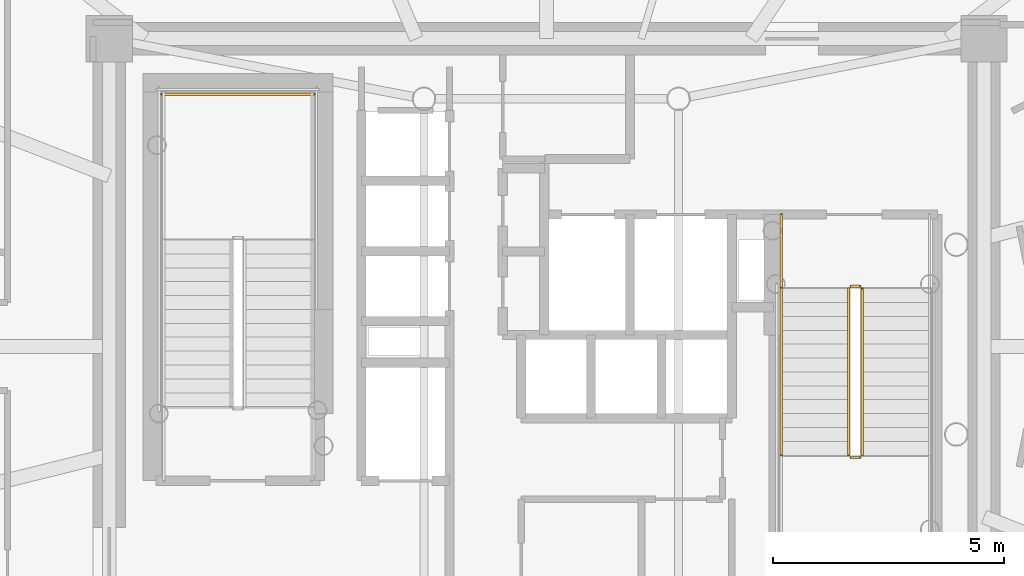
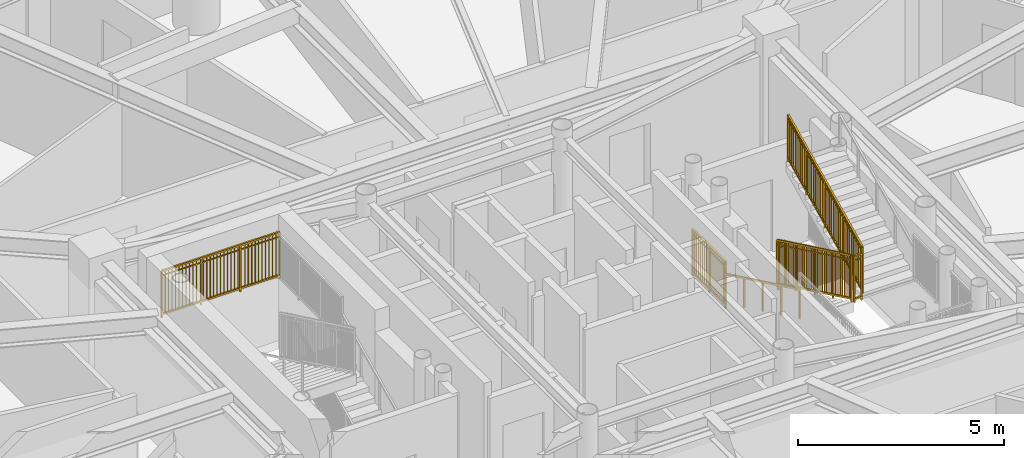
# One storey, part 19 of 21: 7 railings.
"""IFC4 building model written with IfcOpenShell, lengths in metres."""

from ifc_helpers import new_model, si_unit, direction, frame, origin, origin_2d, place, context, subcontext, project, spatial, rectangle, extrude, source, transform, mapped, material, type_object, element, save


model = new_model("IFC4")

# Units and contexts
model_context = context("Model", 3, precision=1e-05, world=origin(), true_north=direction((0.0, 1.0)))
body_context = subcontext(model_context, "Body", "Model", "MODEL_VIEW")
ifc_project = project(units=[si_unit("LENGTHUNIT", "METRE"), si_unit("AREAUNIT", "SQUARE_METRE"), si_unit("VOLUMEUNIT", "CUBIC_METRE"), si_unit("PLANEANGLEUNIT", "RADIAN"), si_unit("MASSUNIT", "GRAM", prefix="KILO")], contexts=[model_context])

# Site, building, storey
site_placement = place(None, origin())
site = spatial("IfcSite", under=ifc_project, at=site_placement, CompositionType="ELEMENT")
building_placement = place(site_placement, origin())
building = spatial("IfcBuilding", under=site, at=building_placement, Name="Linh Dai School and Residence Tower", CompositionType="ELEMENT")
storey_placement = place(building_placement, frame((0.0, 0.0, 229.050048828125)))
storey = spatial("IfcBuildingStorey", under=building, at=storey_placement, Name="L56", CompositionType="ELEMENT", Elevation=229.050048828125)

# Railings
ifc_material_1 = material(Name="Structural Steel S355JR", Category="steel")
railing_type_1 = type_object("IfcRailingType", Name="RL-ST-GUARD-1400", PredefinedType="GUARDRAIL", material=ifc_material_1)
shared_shape_1 = source(origin(), body_context, "Body", "SweptSolid", [
    extrude(rectangle(XDim=0.048095703125, YDim=0.048095703125, at=origin_2d()), frame((0.0, 0.0, 1.3759765625), z_axis=(-1.0, 0.0, 0.0), x_axis=(0.0, -1.0, 0.0)), (0.0, 0.0, 1.0), 3.300048828125),
    extrude(rectangle(XDim=0.048095703125, YDim=0.048095703125, at=origin_2d()), frame((0.0, 0.0, 0.10009765625), z_axis=(-1.0, 0.0, 0.0), x_axis=(0.0, -1.0, 0.0)), (0.0, 0.0, 1.0), 3.300048828125),
    extrude(rectangle(XDim=0.030029296875, YDim=0.030029296875, at=origin_2d()), frame((0.0, 0.0, 1.239990234375), z_axis=(-1.0, 0.0, 0.0), x_axis=(0.0, -1.0, 0.0)), (0.0, 0.0, 1.0), 3.300048828125),
    extrude(rectangle(XDim=0.02001953125, YDim=0.02001953125, at=origin_2d()), frame((-0.09716796875, 0.0, 0.10009765625)), (0.0, 0.0, 1.0), 1.251708984375),
    extrude(rectangle(XDim=0.02001953125, YDim=0.02001953125, at=origin_2d()), frame((-0.194091796875, 0.0, 0.10009765625)), (0.0, 0.0, 1.0), 1.251708984375),
    extrude(rectangle(XDim=0.02001953125, YDim=0.02001953125, at=origin_2d()), frame((-0.291259765625, 0.0, 0.10009765625)), (0.0, 0.0, 1.0), 1.251708984375),
    extrude(rectangle(XDim=0.02001953125, YDim=0.02001953125, at=origin_2d()), frame((-0.38818359375, 0.0, 0.10009765625)), (0.0, 0.0, 1.0), 1.251708984375),
    extrude(rectangle(XDim=0.02001953125, YDim=0.02001953125, at=origin_2d()), frame((-0.4853515625, 0.0, 0.10009765625)), (0.0, 0.0, 1.0), 1.251708984375),
    extrude(rectangle(XDim=0.02001953125, YDim=0.02001953125, at=origin_2d()), frame((-0.582275390625, 0.0, 0.10009765625)), (0.0, 0.0, 1.0), 1.251708984375),
    extrude(rectangle(XDim=0.02001953125, YDim=0.02001953125, at=origin_2d()), frame((-0.679443359375, 0.0, 0.10009765625)), (0.0, 0.0, 1.0), 1.251708984375),
    extrude(rectangle(XDim=0.02001953125, YDim=0.02001953125, at=origin_2d()), frame((-0.7763671875, 0.0, 0.10009765625)), (0.0, 0.0, 1.0), 1.251708984375),
    extrude(rectangle(XDim=0.02001953125, YDim=0.02001953125, at=origin_2d()), frame((-0.87353515625, 0.0, 0.10009765625)), (0.0, 0.0, 1.0), 1.251708984375),
    extrude(rectangle(XDim=0.02001953125, YDim=0.02001953125, at=origin_2d()), frame((-0.970703125, 0.0, 0.10009765625)), (0.0, 0.0, 1.0), 1.251708984375),
    extrude(rectangle(XDim=0.02001953125, YDim=0.02001953125, at=origin_2d()), frame((-1.164794921875, 0.0, 0.10009765625)), (0.0, 0.0, 1.0), 1.251708984375),
    extrude(rectangle(XDim=0.02001953125, YDim=0.02001953125, at=origin_2d()), frame((-1.26171875, 0.0, 0.10009765625)), (0.0, 0.0, 1.0), 1.251708984375),
    extrude(rectangle(XDim=0.02001953125, YDim=0.02001953125, at=origin_2d()), frame((-1.35888671875, 0.0, 0.10009765625)), (0.0, 0.0, 1.0), 1.251708984375),
    extrude(rectangle(XDim=0.02001953125, YDim=0.02001953125, at=origin_2d()), frame((-1.455810546875, 0.0, 0.10009765625)), (0.0, 0.0, 1.0), 1.251708984375),
    extrude(rectangle(XDim=0.02001953125, YDim=0.02001953125, at=origin_2d()), frame((-1.552978515625, 0.0, 0.10009765625)), (0.0, 0.0, 1.0), 1.251708984375),
    extrude(rectangle(XDim=0.02001953125, YDim=0.02001953125, at=origin_2d()), frame((-1.64990234375, 0.0, 0.10009765625)), (0.0, 0.0, 1.0), 1.251708984375),
    extrude(rectangle(XDim=0.02001953125, YDim=0.02001953125, at=origin_2d()), frame((-1.7470703125, 0.0, 0.10009765625)), (0.0, 0.0, 1.0), 1.251708984375),
    extrude(rectangle(XDim=0.02001953125, YDim=0.02001953125, at=origin_2d()), frame((-1.84423828125, 0.0, 0.10009765625)), (0.0, 0.0, 1.0), 1.251708984375),
    extrude(rectangle(XDim=0.02001953125, YDim=0.02001953125, at=origin_2d()), frame((-1.941162109375, 0.0, 0.10009765625)), (0.0, 0.0, 1.0), 1.251708984375),
    extrude(rectangle(XDim=0.02001953125, YDim=0.02001953125, at=origin_2d()), frame((-2.038330078125, 0.0, 0.10009765625)), (0.0, 0.0, 1.0), 1.251708984375),
    extrude(rectangle(XDim=0.02001953125, YDim=0.02001953125, at=origin_2d()), frame((-2.13525390625, 0.0, 0.10009765625)), (0.0, 0.0, 1.0), 1.251708984375),
    extrude(rectangle(XDim=0.02001953125, YDim=0.02001953125, at=origin_2d()), frame((-2.329345703125, 0.0, 0.10009765625)), (0.0, 0.0, 1.0), 1.251708984375),
    extrude(rectangle(XDim=0.02001953125, YDim=0.02001953125, at=origin_2d()), frame((-2.426513671875, 0.0, 0.10009765625)), (0.0, 0.0, 1.0), 1.251708984375),
    extrude(rectangle(XDim=0.02001953125, YDim=0.02001953125, at=origin_2d()), frame((-2.523681640625, 0.0, 0.10009765625)), (0.0, 0.0, 1.0), 1.251708984375),
    extrude(rectangle(XDim=0.02001953125, YDim=0.02001953125, at=origin_2d()), frame((-2.62060546875, 0.0, 0.10009765625)), (0.0, 0.0, 1.0), 1.251708984375),
    extrude(rectangle(XDim=0.02001953125, YDim=0.02001953125, at=origin_2d()), frame((-2.7177734375, 0.0, 0.10009765625)), (0.0, 0.0, 1.0), 1.251708984375),
    extrude(rectangle(XDim=0.02001953125, YDim=0.02001953125, at=origin_2d()), frame((-2.814697265625, 0.0, 0.10009765625)), (0.0, 0.0, 1.0), 1.251708984375),
    extrude(rectangle(XDim=0.02001953125, YDim=0.02001953125, at=origin_2d()), frame((-2.911865234375, 0.0, 0.10009765625)), (0.0, 0.0, 1.0), 1.251708984375),
    extrude(rectangle(XDim=0.02001953125, YDim=0.02001953125, at=origin_2d()), frame((-3.0087890625, 0.0, 0.10009765625)), (0.0, 0.0, 1.0), 1.251708984375),
    extrude(rectangle(XDim=0.02001953125, YDim=0.02001953125, at=origin_2d()), frame((-3.10595703125, 0.0, 0.10009765625)), (0.0, 0.0, 1.0), 1.251708984375),
    extrude(rectangle(XDim=0.02001953125, YDim=0.02001953125, at=origin_2d()), frame((-3.202880859375, 0.0, 0.10009765625)), (0.0, 0.0, 1.0), 1.251708984375),
    extrude(rectangle(XDim=0.0419921875, YDim=0.0419921875, at=origin_2d()), origin(), (0.0, 0.0, 1.0), 1.3759765625),
    extrude(rectangle(XDim=0.0419921875, YDim=0.0419921875, at=origin_2d()), frame((-1.10009765625, 0.0, 0.0)), (0.0, 0.0, 1.0), 1.3759765625),
    extrude(rectangle(XDim=0.0419921875, YDim=0.0419921875, at=origin_2d()), frame((-2.199951171875, 0.0, 0.0)), (0.0, 0.0, 1.0), 1.3759765625),
    extrude(rectangle(XDim=0.0419921875, YDim=0.0419921875, at=origin_2d()), frame((-3.300048828125, 0.0, 0.0)), (0.0, 0.0, 1.0), 1.3759765625),
])
railing_1_placement = place(storey_placement, frame((30.97998046875, 32.449951171875, 1.875)))
element("IfcRailing", 1, at=railing_1_placement, inside=storey, type_object=railing_type_1, Name="L56 ST1 stair guard 5", PredefinedType="GUARDRAIL", context=body_context, shape_type="MappedRepresentation", body=[
    mapped(shared_shape_1, transform((0.0, 0.0, 0.0), x_axis=(1.0, 0.0, 0.0), y_axis=(0.0, 1.0, 0.0), z_axis=(0.0, 0.0, 1.0), scale=1.0)),
])
shared_shape_2 = source(origin(), body_context, "Body", "SweptSolid", [
    extrude(rectangle(XDim=0.048095703125, YDim=0.048095703125, at=origin_2d()), frame((0.0, 0.0, 1.3759765625), z_axis=(0.0, 0.901262522062, 0.433273431364), x_axis=(-1.0, 0.0, 0.0)), (0.0, 0.0, 1.0), 3.994384765625),
    extrude(rectangle(XDim=0.048095703125, YDim=0.048095703125, at=origin_2d()), frame((0.0, 0.0, 0.10009765625), z_axis=(0.0, 0.901262522062, 0.433273431364), x_axis=(-1.0, 0.0, 0.0)), (0.0, 0.0, 1.0), 3.994384765625),
    extrude(rectangle(XDim=0.030029296875, YDim=0.030029296875, at=origin_2d()), frame((0.0, 0.0, 1.239990234375), z_axis=(0.0, 0.901262522062, 0.433273431364), x_axis=(-1.0, 0.0, 0.0)), (0.0, 0.0, 1.0), 3.994384765625),
    extrude(rectangle(XDim=0.02001953125, YDim=0.02001953125, at=origin_2d()), frame((0.0, 0.087890625, 0.142333984375)), (0.0, 0.0, 1.0), 1.251708984375),
    extrude(rectangle(XDim=0.02001953125, YDim=0.02001953125, at=origin_2d()), frame((0.0, 0.175537109375, 0.1845703125)), (0.0, 0.0, 1.0), 1.251708984375),
    extrude(rectangle(XDim=0.02001953125, YDim=0.02001953125, at=origin_2d()), frame((0.0, 0.263427734375, 0.226806640625)), (0.0, 0.0, 1.0), 1.251708984375),
    extrude(rectangle(XDim=0.02001953125, YDim=0.02001953125, at=origin_2d()), frame((0.0, 0.351318359375, 0.26904296875)), (0.0, 0.0, 1.0), 1.251708984375),
    extrude(rectangle(XDim=0.02001953125, YDim=0.02001953125, at=origin_2d()), frame((0.0, 0.43896484375, 0.311279296875)), (0.0, 0.0, 1.0), 1.251708984375),
    extrude(rectangle(XDim=0.02001953125, YDim=0.02001953125, at=origin_2d()), frame((0.0, 0.52685546875, 0.353271484375)), (0.0, 0.0, 1.0), 1.251708984375),
    extrude(rectangle(XDim=0.02001953125, YDim=0.02001953125, at=origin_2d()), frame((0.0, 0.61474609375, 0.3955078125)), (0.0, 0.0, 1.0), 1.251708984375),
    extrude(rectangle(XDim=0.02001953125, YDim=0.02001953125, at=origin_2d()), frame((0.0, 0.702392578125, 0.437744140625)), (0.0, 0.0, 1.0), 1.251708984375),
    extrude(rectangle(XDim=0.02001953125, YDim=0.02001953125, at=origin_2d()), frame((0.0, 0.790283203125, 0.47998046875)), (0.0, 0.0, 1.0), 1.251708984375),
    extrude(rectangle(XDim=0.02001953125, YDim=0.02001953125, at=origin_2d()), frame((0.0, 0.9658203125, 0.564453125)), (0.0, 0.0, 1.0), 1.251708984375),
    extrude(rectangle(XDim=0.02001953125, YDim=0.02001953125, at=origin_2d()), frame((0.0, 1.0537109375, 0.606689453125)), (0.0, 0.0, 1.0), 1.251708984375),
    extrude(rectangle(XDim=0.02001953125, YDim=0.02001953125, at=origin_2d()), frame((0.0, 1.1416015625, 0.64892578125)), (0.0, 0.0, 1.0), 1.251708984375),
    extrude(rectangle(XDim=0.02001953125, YDim=0.02001953125, at=origin_2d()), frame((0.0, 1.229248046875, 0.691162109375)), (0.0, 0.0, 1.0), 1.251708984375),
    extrude(rectangle(XDim=0.02001953125, YDim=0.02001953125, at=origin_2d()), frame((0.0, 1.317138671875, 0.7333984375)), (0.0, 0.0, 1.0), 1.251708984375),
    extrude(rectangle(XDim=0.02001953125, YDim=0.02001953125, at=origin_2d()), frame((0.0, 1.405029296875, 0.775390625)), (0.0, 0.0, 1.0), 1.251708984375),
    extrude(rectangle(XDim=0.02001953125, YDim=0.02001953125, at=origin_2d()), frame((0.0, 1.49267578125, 0.817626953125)), (0.0, 0.0, 1.0), 1.251708984375),
    extrude(rectangle(XDim=0.02001953125, YDim=0.02001953125, at=origin_2d()), frame((0.0, 1.58056640625, 0.85986328125)), (0.0, 0.0, 1.0), 1.251708984375),
    extrude(rectangle(XDim=0.02001953125, YDim=0.02001953125, at=origin_2d()), frame((0.0, 1.66845703125, 0.902099609375)), (0.0, 0.0, 1.0), 1.251708984375),
    extrude(rectangle(XDim=0.02001953125, YDim=0.02001953125, at=origin_2d()), frame((0.0, 1.756103515625, 0.9443359375)), (0.0, 0.0, 1.0), 1.251708984375),
    extrude(rectangle(XDim=0.02001953125, YDim=0.02001953125, at=origin_2d()), frame((0.0, 1.843994140625, 0.986572265625)), (0.0, 0.0, 1.0), 1.251708984375),
    extrude(rectangle(XDim=0.02001953125, YDim=0.02001953125, at=origin_2d()), frame((0.0, 1.931640625, 1.02880859375)), (0.0, 0.0, 1.0), 1.251708984375),
    extrude(rectangle(XDim=0.02001953125, YDim=0.02001953125, at=origin_2d()), frame((0.0, 2.01953125, 1.071044921875)), (0.0, 0.0, 1.0), 1.251708984375),
    extrude(rectangle(XDim=0.02001953125, YDim=0.02001953125, at=origin_2d()), frame((0.0, 2.107421875, 1.11328125)), (0.0, 0.0, 1.0), 1.251708984375),
    extrude(rectangle(XDim=0.02001953125, YDim=0.02001953125, at=origin_2d()), frame((0.0, 2.195068359375, 1.155517578125)), (0.0, 0.0, 1.0), 1.251708984375),
    extrude(rectangle(XDim=0.02001953125, YDim=0.02001953125, at=origin_2d()), frame((0.0, 2.282958984375, 1.197509765625)), (0.0, 0.0, 1.0), 1.251708984375),
    extrude(rectangle(XDim=0.02001953125, YDim=0.02001953125, at=origin_2d()), frame((0.0, 2.370849609375, 1.23974609375)), (0.0, 0.0, 1.0), 1.251708984375),
    extrude(rectangle(XDim=0.02001953125, YDim=0.02001953125, at=origin_2d()), frame((0.0, 2.45849609375, 1.281982421875)), (0.0, 0.0, 1.0), 1.251708984375),
    extrude(rectangle(XDim=0.02001953125, YDim=0.02001953125, at=origin_2d()), frame((0.0, 2.54638671875, 1.32421875)), (0.0, 0.0, 1.0), 1.251708984375),
    extrude(rectangle(XDim=0.02001953125, YDim=0.02001953125, at=origin_2d()), frame((0.0, 2.63427734375, 1.366455078125)), (0.0, 0.0, 1.0), 1.251708984375),
    extrude(rectangle(XDim=0.02001953125, YDim=0.02001953125, at=origin_2d()), frame((0.0, 2.809814453125, 1.450927734375)), (0.0, 0.0, 1.0), 1.251708984375),
    extrude(rectangle(XDim=0.02001953125, YDim=0.02001953125, at=origin_2d()), frame((0.0, 2.897705078125, 1.4931640625)), (0.0, 0.0, 1.0), 1.251708984375),
    extrude(rectangle(XDim=0.02001953125, YDim=0.02001953125, at=origin_2d()), frame((0.0, 2.9853515625, 1.535400390625)), (0.0, 0.0, 1.0), 1.251708984375),
    extrude(rectangle(XDim=0.02001953125, YDim=0.02001953125, at=origin_2d()), frame((0.0, 3.0732421875, 1.57763671875)), (0.0, 0.0, 1.0), 1.251708984375),
    extrude(rectangle(XDim=0.02001953125, YDim=0.02001953125, at=origin_2d()), frame((0.0, 3.1611328125, 1.61962890625)), (0.0, 0.0, 1.0), 1.251708984375),
    extrude(rectangle(XDim=0.02001953125, YDim=0.02001953125, at=origin_2d()), frame((0.0, 3.248779296875, 1.661865234375)), (0.0, 0.0, 1.0), 1.251708984375),
    extrude(rectangle(XDim=0.02001953125, YDim=0.02001953125, at=origin_2d()), frame((0.0, 3.336669921875, 1.7041015625)), (0.0, 0.0, 1.0), 1.251708984375),
    extrude(rectangle(XDim=0.02001953125, YDim=0.02001953125, at=origin_2d()), frame((0.0, 3.424560546875, 1.746337890625)), (0.0, 0.0, 1.0), 1.251708984375),
    extrude(rectangle(XDim=0.02001953125, YDim=0.02001953125, at=origin_2d()), frame((0.0, 3.51220703125, 1.78857421875)), (0.0, 0.0, 1.0), 1.251708984375),
    extrude(rectangle(XDim=0.0419921875, YDim=0.0419921875, at=origin_2d()), origin(), (0.0, 0.0, 1.0), 1.3759765625),
    extrude(rectangle(XDim=0.0419921875, YDim=0.0419921875, at=origin_2d()), frame((0.0, 0.89990234375, 0.4326171875)), (0.0, 0.0, 1.0), 1.3759765625),
    extrude(rectangle(XDim=0.0419921875, YDim=0.0419921875, at=origin_2d()), frame((0.0, 1.800048828125, 0.865234375)), (0.0, 0.0, 1.0), 1.3759765625),
    extrude(rectangle(XDim=0.0419921875, YDim=0.0419921875, at=origin_2d()), frame((0.0, 2.7001953125, 1.298095703125)), (0.0, 0.0, 1.0), 1.3759765625),
    extrude(rectangle(XDim=0.0419921875, YDim=0.0419921875, at=origin_2d()), frame((0.0, 3.60009765625, 1.730712890625)), (0.0, 0.0, 1.0), 1.3759765625),
])
railing_2_placement = place(storey_placement, frame((42.820068359375, 24.64990234375, 2.019287109375)))
element("IfcRailing", 2, at=railing_2_placement, inside=storey, type_object=railing_type_1, Name="L56 ST2 stair guard 6", PredefinedType="GUARDRAIL", context=body_context, shape_type="MappedRepresentation", body=[
    mapped(shared_shape_2, transform((0.0, 0.0, 0.0), x_axis=(1.0, 0.0, 0.0), y_axis=(0.0, 1.0, 0.0), z_axis=(0.0, 0.0, 1.0), scale=1.0)),
])
shared_shape_3 = source(origin(), body_context, "Body", "SweptSolid", [
    extrude(rectangle(XDim=0.048095703125, YDim=0.048095703125, at=origin_2d()), frame((0.0, 0.0, 1.3759765625), z_axis=(0.0, -0.901262522062, 0.433273431364), x_axis=(1.0, 0.0, 0.0)), (0.0, 0.0, 1.0), 3.994384765625),
    extrude(rectangle(XDim=0.048095703125, YDim=0.048095703125, at=origin_2d()), frame((0.0, 0.0, 0.10009765625), z_axis=(0.0, -0.901262522062, 0.433273431364), x_axis=(1.0, 0.0, 0.0)), (0.0, 0.0, 1.0), 3.994384765625),
    extrude(rectangle(XDim=0.030029296875, YDim=0.030029296875, at=origin_2d()), frame((0.0, 0.0, 1.239990234375), z_axis=(0.0, -0.901262522062, 0.433273431364), x_axis=(1.0, 0.0, 0.0)), (0.0, 0.0, 1.0), 3.994384765625),
    extrude(rectangle(XDim=0.02001953125, YDim=0.02001953125, at=origin_2d()), frame((0.0, -0.087890625, 0.142333984375)), (0.0, 0.0, 1.0), 1.251708984375),
    extrude(rectangle(XDim=0.02001953125, YDim=0.02001953125, at=origin_2d()), frame((0.0, -0.175537109375, 0.1845703125)), (0.0, 0.0, 1.0), 1.251708984375),
    extrude(rectangle(XDim=0.02001953125, YDim=0.02001953125, at=origin_2d()), frame((0.0, -0.263427734375, 0.226806640625)), (0.0, 0.0, 1.0), 1.251708984375),
    extrude(rectangle(XDim=0.02001953125, YDim=0.02001953125, at=origin_2d()), frame((0.0, -0.351318359375, 0.26904296875)), (0.0, 0.0, 1.0), 1.251708984375),
    extrude(rectangle(XDim=0.02001953125, YDim=0.02001953125, at=origin_2d()), frame((0.0, -0.43896484375, 0.311279296875)), (0.0, 0.0, 1.0), 1.251708984375),
    extrude(rectangle(XDim=0.02001953125, YDim=0.02001953125, at=origin_2d()), frame((0.0, -0.52685546875, 0.353271484375)), (0.0, 0.0, 1.0), 1.251708984375),
    extrude(rectangle(XDim=0.02001953125, YDim=0.02001953125, at=origin_2d()), frame((0.0, -0.61474609375, 0.3955078125)), (0.0, 0.0, 1.0), 1.251708984375),
    extrude(rectangle(XDim=0.02001953125, YDim=0.02001953125, at=origin_2d()), frame((0.0, -0.702392578125, 0.437744140625)), (0.0, 0.0, 1.0), 1.251708984375),
    extrude(rectangle(XDim=0.02001953125, YDim=0.02001953125, at=origin_2d()), frame((0.0, -0.790283203125, 0.47998046875)), (0.0, 0.0, 1.0), 1.251708984375),
    extrude(rectangle(XDim=0.02001953125, YDim=0.02001953125, at=origin_2d()), frame((0.0, -0.9658203125, 0.564453125)), (0.0, 0.0, 1.0), 1.251708984375),
    extrude(rectangle(XDim=0.02001953125, YDim=0.02001953125, at=origin_2d()), frame((0.0, -1.0537109375, 0.606689453125)), (0.0, 0.0, 1.0), 1.251708984375),
    extrude(rectangle(XDim=0.02001953125, YDim=0.02001953125, at=origin_2d()), frame((0.0, -1.1416015625, 0.64892578125)), (0.0, 0.0, 1.0), 1.251708984375),
    extrude(rectangle(XDim=0.02001953125, YDim=0.02001953125, at=origin_2d()), frame((0.0, -1.229248046875, 0.691162109375)), (0.0, 0.0, 1.0), 1.251708984375),
    extrude(rectangle(XDim=0.02001953125, YDim=0.02001953125, at=origin_2d()), frame((0.0, -1.317138671875, 0.7333984375)), (0.0, 0.0, 1.0), 1.251708984375),
    extrude(rectangle(XDim=0.02001953125, YDim=0.02001953125, at=origin_2d()), frame((0.0, -1.405029296875, 0.775390625)), (0.0, 0.0, 1.0), 1.251708984375),
    extrude(rectangle(XDim=0.02001953125, YDim=0.02001953125, at=origin_2d()), frame((0.0, -1.49267578125, 0.817626953125)), (0.0, 0.0, 1.0), 1.251708984375),
    extrude(rectangle(XDim=0.02001953125, YDim=0.02001953125, at=origin_2d()), frame((0.0, -1.58056640625, 0.85986328125)), (0.0, 0.0, 1.0), 1.251708984375),
    extrude(rectangle(XDim=0.02001953125, YDim=0.02001953125, at=origin_2d()), frame((0.0, -1.66845703125, 0.902099609375)), (0.0, 0.0, 1.0), 1.251708984375),
    extrude(rectangle(XDim=0.02001953125, YDim=0.02001953125, at=origin_2d()), frame((0.0, -1.756103515625, 0.9443359375)), (0.0, 0.0, 1.0), 1.251708984375),
    extrude(rectangle(XDim=0.02001953125, YDim=0.02001953125, at=origin_2d()), frame((0.0, -1.843994140625, 0.986572265625)), (0.0, 0.0, 1.0), 1.251708984375),
    extrude(rectangle(XDim=0.02001953125, YDim=0.02001953125, at=origin_2d()), frame((0.0, -1.931640625, 1.02880859375)), (0.0, 0.0, 1.0), 1.251708984375),
    extrude(rectangle(XDim=0.02001953125, YDim=0.02001953125, at=origin_2d()), frame((0.0, -2.01953125, 1.071044921875)), (0.0, 0.0, 1.0), 1.251708984375),
    extrude(rectangle(XDim=0.02001953125, YDim=0.02001953125, at=origin_2d()), frame((0.0, -2.107421875, 1.11328125)), (0.0, 0.0, 1.0), 1.251708984375),
    extrude(rectangle(XDim=0.02001953125, YDim=0.02001953125, at=origin_2d()), frame((0.0, -2.195068359375, 1.155517578125)), (0.0, 0.0, 1.0), 1.251708984375),
    extrude(rectangle(XDim=0.02001953125, YDim=0.02001953125, at=origin_2d()), frame((0.0, -2.282958984375, 1.197509765625)), (0.0, 0.0, 1.0), 1.251708984375),
    extrude(rectangle(XDim=0.02001953125, YDim=0.02001953125, at=origin_2d()), frame((0.0, -2.370849609375, 1.23974609375)), (0.0, 0.0, 1.0), 1.251708984375),
    extrude(rectangle(XDim=0.02001953125, YDim=0.02001953125, at=origin_2d()), frame((0.0, -2.45849609375, 1.281982421875)), (0.0, 0.0, 1.0), 1.251708984375),
    extrude(rectangle(XDim=0.02001953125, YDim=0.02001953125, at=origin_2d()), frame((0.0, -2.54638671875, 1.32421875)), (0.0, 0.0, 1.0), 1.251708984375),
    extrude(rectangle(XDim=0.02001953125, YDim=0.02001953125, at=origin_2d()), frame((0.0, -2.63427734375, 1.366455078125)), (0.0, 0.0, 1.0), 1.251708984375),
    extrude(rectangle(XDim=0.02001953125, YDim=0.02001953125, at=origin_2d()), frame((0.0, -2.809814453125, 1.450927734375)), (0.0, 0.0, 1.0), 1.251708984375),
    extrude(rectangle(XDim=0.02001953125, YDim=0.02001953125, at=origin_2d()), frame((0.0, -2.897705078125, 1.4931640625)), (0.0, 0.0, 1.0), 1.251708984375),
    extrude(rectangle(XDim=0.02001953125, YDim=0.02001953125, at=origin_2d()), frame((0.0, -2.9853515625, 1.535400390625)), (0.0, 0.0, 1.0), 1.251708984375),
    extrude(rectangle(XDim=0.02001953125, YDim=0.02001953125, at=origin_2d()), frame((0.0, -3.0732421875, 1.57763671875)), (0.0, 0.0, 1.0), 1.251708984375),
    extrude(rectangle(XDim=0.02001953125, YDim=0.02001953125, at=origin_2d()), frame((0.0, -3.1611328125, 1.61962890625)), (0.0, 0.0, 1.0), 1.251708984375),
    extrude(rectangle(XDim=0.02001953125, YDim=0.02001953125, at=origin_2d()), frame((0.0, -3.248779296875, 1.661865234375)), (0.0, 0.0, 1.0), 1.251708984375),
    extrude(rectangle(XDim=0.02001953125, YDim=0.02001953125, at=origin_2d()), frame((0.0, -3.336669921875, 1.7041015625)), (0.0, 0.0, 1.0), 1.251708984375),
    extrude(rectangle(XDim=0.02001953125, YDim=0.02001953125, at=origin_2d()), frame((0.0, -3.424560546875, 1.746337890625)), (0.0, 0.0, 1.0), 1.251708984375),
    extrude(rectangle(XDim=0.02001953125, YDim=0.02001953125, at=origin_2d()), frame((0.0, -3.51220703125, 1.78857421875)), (0.0, 0.0, 1.0), 1.251708984375),
    extrude(rectangle(XDim=0.0419921875, YDim=0.0419921875, at=origin_2d()), origin(), (0.0, 0.0, 1.0), 1.3759765625),
    extrude(rectangle(XDim=0.0419921875, YDim=0.0419921875, at=origin_2d()), frame((0.0, -0.89990234375, 0.4326171875)), (0.0, 0.0, 1.0), 1.3759765625),
    extrude(rectangle(XDim=0.0419921875, YDim=0.0419921875, at=origin_2d()), frame((0.0, -1.800048828125, 0.865234375)), (0.0, 0.0, 1.0), 1.3759765625),
    extrude(rectangle(XDim=0.0419921875, YDim=0.0419921875, at=origin_2d()), frame((0.0, -2.7001953125, 1.298095703125)), (0.0, 0.0, 1.0), 1.3759765625),
    extrude(rectangle(XDim=0.0419921875, YDim=0.0419921875, at=origin_2d()), frame((0.0, -3.60009765625, 1.730712890625)), (0.0, 0.0, 1.0), 1.3759765625),
])
railing_3_placement = place(storey_placement, frame((42.52001953125, 28.25, 0.144287109375)))
element("IfcRailing", 3, at=railing_3_placement, inside=storey, type_object=railing_type_1, Name="L56 ST2 stair guard 1", PredefinedType="GUARDRAIL", context=body_context, shape_type="MappedRepresentation", body=[
    mapped(shared_shape_3, transform((0.0, 0.0, 0.0), x_axis=(1.0, 0.0, 0.0), y_axis=(0.0, 1.0, 0.0), z_axis=(0.0, 0.0, 1.0), scale=1.0)),
])
ifc_material_2 = material(Name="Brushed Stainless Steel Handrail", Category="steel")
railing_type_2 = type_object("IfcRailingType", Name="RL-ST-HANDRAIL-900", PredefinedType="HANDRAIL", material=ifc_material_2)
shared_shape_4 = source(origin(), body_context, "Body", "SweptSolid", [
    extrude(rectangle(XDim=0.048095703125, YDim=0.048095703125, at=origin_2d()), frame((0.0, 0.0, 0.8759765625), z_axis=(0.0, -0.901262522062, 0.433273431364), x_axis=(1.0, 0.0, 0.0)), (0.0, 0.0, 1.0), 3.994384765625),
    extrude(rectangle(XDim=0.0419921875, YDim=0.0419921875, at=origin_2d()), origin(), (0.0, 0.0, 1.0), 0.8759765625),
    extrude(rectangle(XDim=0.0419921875, YDim=0.0419921875, at=origin_2d()), frame((0.0, -0.89990234375, 0.4326171875)), (0.0, 0.0, 1.0), 0.8759765625),
    extrude(rectangle(XDim=0.0419921875, YDim=0.0419921875, at=origin_2d()), frame((0.0, -1.800048828125, 0.865234375)), (0.0, 0.0, 1.0), 0.8759765625),
    extrude(rectangle(XDim=0.0419921875, YDim=0.0419921875, at=origin_2d()), frame((0.0, -2.7001953125, 1.298095703125)), (0.0, 0.0, 1.0), 0.8759765625),
    extrude(rectangle(XDim=0.0419921875, YDim=0.0419921875, at=origin_2d()), frame((0.0, -3.60009765625, 1.730712890625)), (0.0, 0.0, 1.0), 0.8759765625),
])
railing_4_placement = place(storey_placement, frame((41.070068359375, 28.25, 0.144287109375)))
element("IfcRailing", 4, at=railing_4_placement, inside=storey, type_object=railing_type_2, Name="L56 ST2 stair handrail 1", PredefinedType="HANDRAIL", context=body_context, shape_type="MappedRepresentation", body=[
    mapped(shared_shape_4, transform((0.0, 0.0, 0.0), x_axis=(1.0, 0.0, 0.0), y_axis=(0.0, 1.0, 0.0), z_axis=(0.0, 0.0, 1.0), scale=1.0)),
])
shared_shape_5 = source(origin(), body_context, "Body", "SweptSolid", [
    extrude(rectangle(XDim=0.048095703125, YDim=0.048095703125, at=origin_2d()), frame((0.0, 0.0, 1.3759765625), z_axis=(1.0, 0.0, 0.0), x_axis=(0.0, 1.0, 0.0)), (0.0, 0.0, 1.0), 0.199951171875),
    extrude(rectangle(XDim=0.048095703125, YDim=0.048095703125, at=origin_2d()), frame((0.0, 0.0, 0.10009765625), z_axis=(1.0, 0.0, 0.0), x_axis=(0.0, 1.0, 0.0)), (0.0, 0.0, 1.0), 0.199951171875),
    extrude(rectangle(XDim=0.030029296875, YDim=0.030029296875, at=origin_2d()), frame((0.0, 0.0, 1.239990234375), z_axis=(1.0, 0.0, 0.0), x_axis=(0.0, 1.0, 0.0)), (0.0, 0.0, 1.0), 0.199951171875),
    extrude(rectangle(XDim=0.0419921875, YDim=0.0419921875, at=origin_2d()), origin(), (0.0, 0.0, 1.0), 1.3759765625),
    extrude(rectangle(XDim=0.0419921875, YDim=0.0419921875, at=origin_2d()), frame((0.199951171875, 0.0, 0.0)), (0.0, 0.0, 1.0), 1.3759765625),
])
for number, where, name in (
    (5, (42.570068359375, 24.60009765625, 1.875), "L56 ST2 stair guard 2"),
    (6, (42.570068359375, 28.300048828125, 0.0), "L56 ST2 stair guard 7"),
):
    element("IfcRailing", number, at=place(storey_placement, frame(where)), inside=storey, type_object=railing_type_1, Name=name, PredefinedType="GUARDRAIL", context=body_context, shape_type="MappedRepresentation", body=[
        mapped(shared_shape_5, transform((0.0, 0.0, 0.0), x_axis=(1.0, 0.0, 0.0), y_axis=(0.0, 1.0, 0.0), z_axis=(0.0, 0.0, 1.0), scale=1.0)),
    ])
shared_shape_6 = source(origin(), body_context, "Body", "SweptSolid", [
    extrude(rectangle(XDim=0.048095703125, YDim=0.048095703125, at=origin_2d()), frame((0.0, 0.0, 1.3759765625), z_axis=(0.0, -1.0, 0.0), x_axis=(1.0, 0.0, 0.0)), (0.0, 0.0, 1.0), 1.60009765625),
    extrude(rectangle(XDim=0.048095703125, YDim=0.048095703125, at=origin_2d()), frame((0.0, 0.0, 0.10009765625), z_axis=(0.0, -1.0, 0.0), x_axis=(1.0, 0.0, 0.0)), (0.0, 0.0, 1.0), 1.60009765625),
    extrude(rectangle(XDim=0.030029296875, YDim=0.030029296875, at=origin_2d()), frame((0.0, 0.0, 1.239990234375), z_axis=(0.0, -1.0, 0.0), x_axis=(1.0, 0.0, 0.0)), (0.0, 0.0, 1.0), 1.60009765625),
    extrude(rectangle(XDim=0.02001953125, YDim=0.02001953125, at=origin_2d()), frame((0.0, -0.09423828125, 0.10009765625)), (0.0, 0.0, 1.0), 1.251708984375),
    extrude(rectangle(XDim=0.02001953125, YDim=0.02001953125, at=origin_2d()), frame((0.0, -0.188232421875, 0.10009765625)), (0.0, 0.0, 1.0), 1.251708984375),
    extrude(rectangle(XDim=0.02001953125, YDim=0.02001953125, at=origin_2d()), frame((0.0, -0.282470703125, 0.10009765625)), (0.0, 0.0, 1.0), 1.251708984375),
    extrude(rectangle(XDim=0.02001953125, YDim=0.02001953125, at=origin_2d()), frame((0.0, -0.37646484375, 0.10009765625)), (0.0, 0.0, 1.0), 1.251708984375),
    extrude(rectangle(XDim=0.02001953125, YDim=0.02001953125, at=origin_2d()), frame((0.0, -0.470703125, 0.10009765625)), (0.0, 0.0, 1.0), 1.251708984375),
    extrude(rectangle(XDim=0.02001953125, YDim=0.02001953125, at=origin_2d()), frame((0.0, -0.564697265625, 0.10009765625)), (0.0, 0.0, 1.0), 1.251708984375),
    extrude(rectangle(XDim=0.02001953125, YDim=0.02001953125, at=origin_2d()), frame((0.0, -0.658935546875, 0.10009765625)), (0.0, 0.0, 1.0), 1.251708984375),
    extrude(rectangle(XDim=0.02001953125, YDim=0.02001953125, at=origin_2d()), frame((0.0, -0.7529296875, 0.10009765625)), (0.0, 0.0, 1.0), 1.251708984375),
    extrude(rectangle(XDim=0.02001953125, YDim=0.02001953125, at=origin_2d()), frame((0.0, -0.84716796875, 0.10009765625)), (0.0, 0.0, 1.0), 1.251708984375),
    extrude(rectangle(XDim=0.02001953125, YDim=0.02001953125, at=origin_2d()), frame((0.0, -0.941162109375, 0.10009765625)), (0.0, 0.0, 1.0), 1.251708984375),
    extrude(rectangle(XDim=0.02001953125, YDim=0.02001953125, at=origin_2d()), frame((0.0, -1.035400390625, 0.10009765625)), (0.0, 0.0, 1.0), 1.251708984375),
    extrude(rectangle(XDim=0.02001953125, YDim=0.02001953125, at=origin_2d()), frame((0.0, -1.12939453125, 0.10009765625)), (0.0, 0.0, 1.0), 1.251708984375),
    extrude(rectangle(XDim=0.02001953125, YDim=0.02001953125, at=origin_2d()), frame((0.0, -1.2236328125, 0.10009765625)), (0.0, 0.0, 1.0), 1.251708984375),
    extrude(rectangle(XDim=0.02001953125, YDim=0.02001953125, at=origin_2d()), frame((0.0, -1.317626953125, 0.10009765625)), (0.0, 0.0, 1.0), 1.251708984375),
    extrude(rectangle(XDim=0.02001953125, YDim=0.02001953125, at=origin_2d()), frame((0.0, -1.411865234375, 0.10009765625)), (0.0, 0.0, 1.0), 1.251708984375),
    extrude(rectangle(XDim=0.02001953125, YDim=0.02001953125, at=origin_2d()), frame((0.0, -1.505859375, 0.10009765625)), (0.0, 0.0, 1.0), 1.251708984375),
    extrude(rectangle(XDim=0.0419921875, YDim=0.0419921875, at=origin_2d()), origin(), (0.0, 0.0, 1.0), 1.3759765625),
    extrude(rectangle(XDim=0.0419921875, YDim=0.0419921875, at=origin_2d()), frame((0.0, -0.800048828125, 0.0)), (0.0, 0.0, 1.0), 1.3759765625),
    extrude(rectangle(XDim=0.0419921875, YDim=0.0419921875, at=origin_2d()), frame((0.0, -1.60009765625, 0.0)), (0.0, 0.0, 1.0), 1.3759765625),
])
railing_5_placement = place(storey_placement, frame((41.070068359375, 29.85009765625, 0.0)))
element("IfcRailing", 7, at=railing_5_placement, inside=storey, type_object=railing_type_1, Name="L56 ST2 stair guard 8", PredefinedType="GUARDRAIL", context=body_context, shape_type="MappedRepresentation", body=[
    mapped(shared_shape_6, transform((0.0, 0.0, 0.0), x_axis=(1.0, 0.0, 0.0), y_axis=(0.0, 1.0, 0.0), z_axis=(0.0, 0.0, 1.0), scale=1.0)),
])

save(model, "model.ifc")
